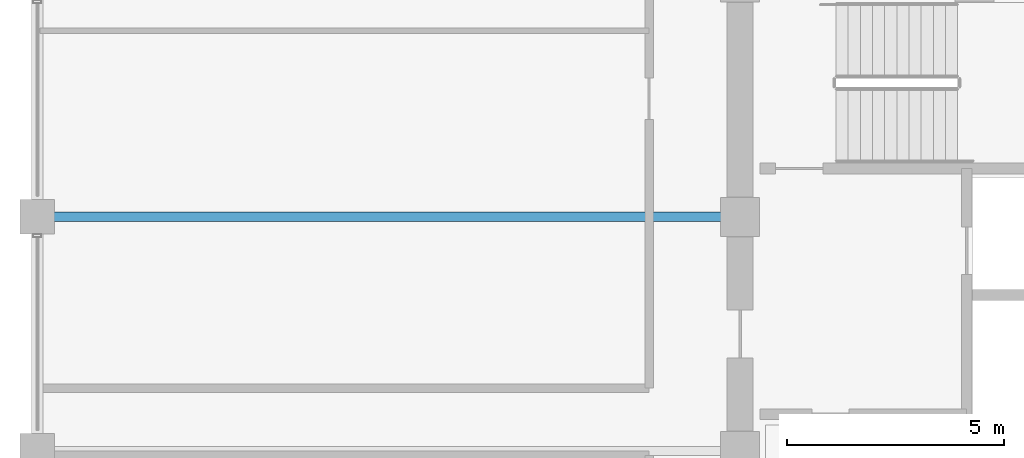
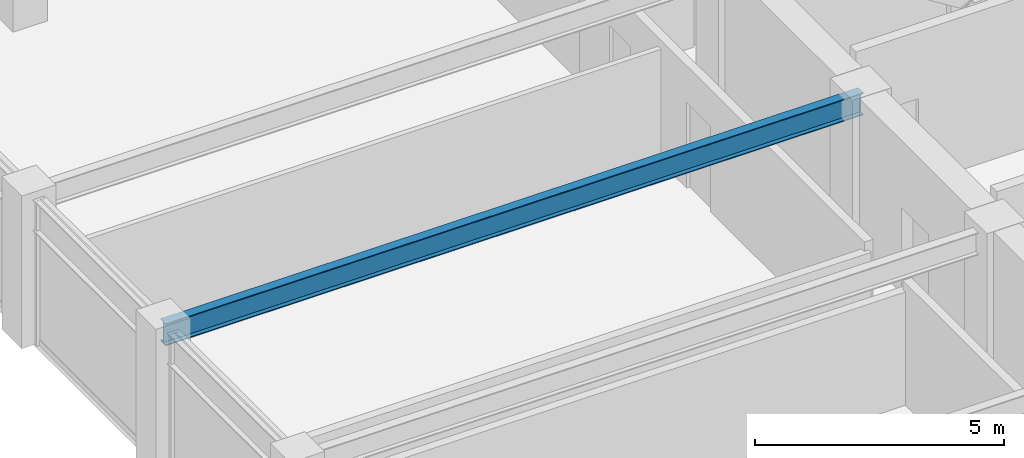
# One storey, part 11 of 32: 1 beam.
"""IFC4 building model written with IfcOpenShell, lengths in metres."""

from ifc_helpers import new_model, si_unit, direction, frame, origin, origin_2d, place, context, subcontext, project, spatial, i_section, extrude, material, material_profile, profile_set, type_object, element, save


model = new_model("IFC4")

# Units and contexts
model_context = context("Model", 3, precision=1e-05, world=origin(), true_north=direction((0.0, 1.0)))
body_context = subcontext(model_context, "Body", "Model", "MODEL_VIEW")
ifc_project = project(units=[si_unit("LENGTHUNIT", "METRE"), si_unit("AREAUNIT", "SQUARE_METRE"), si_unit("VOLUMEUNIT", "CUBIC_METRE"), si_unit("PLANEANGLEUNIT", "RADIAN"), si_unit("MASSUNIT", "GRAM", prefix="KILO")], contexts=[model_context])

# Site, building, storey
site_placement = place(None, origin())
site = spatial("IfcSite", under=ifc_project, at=site_placement, CompositionType="ELEMENT")
building_placement = place(site_placement, origin())
building = spatial("IfcBuilding", under=site, at=building_placement, Name="Surkhivell Harbour Commons", CompositionType="ELEMENT")
storey_placement = place(building_placement, frame((0.0, 0.0, 219.75)))
storey = spatial("IfcBuildingStorey", under=building, at=storey_placement, Name="L57", CompositionType="ELEMENT", Elevation=219.75)

# Beam
ifc_material = material(Name="Steel S355", Category="steel")
ifc_material_profile = material_profile(ifc_material, i_section(OverallWidth=0.2119140625, OverallDepth=0.5439453125, WebThickness=0.0126953125, FlangeThickness=0.021240234375, at=origin_2d()), Name="UB533x210x122")
ifc_profile_set = profile_set([ifc_material_profile], Name="Steel S355")
beam_type = type_object("IfcBeamType", Name="BM-GRD-533A", PredefinedType="BEAM", material=ifc_profile_set)
beam_placement = place(storey_placement, frame((-27.0, 5.39990234375, 3.298095703125), z_axis=(1.0, 0.0, 0.0), x_axis=(0.0, 1.0, 0.0)))
element("IfcBeam", 1, at=beam_placement, inside=storey, type_object=beam_type, Name="L57 Floor Girder (-27.0,5.4)", PredefinedType="BEAM", context=body_context, shape_type="SweptSolid", body=[
    extrude(i_section(OverallWidth=0.2119140625, OverallDepth=0.5439453125, WebThickness=0.0126953125, FlangeThickness=0.021240234375, at=origin_2d()), origin(), (0.0, 0.0, 1.0), 16.199951171875),
])

save(model, "model.ifc")
